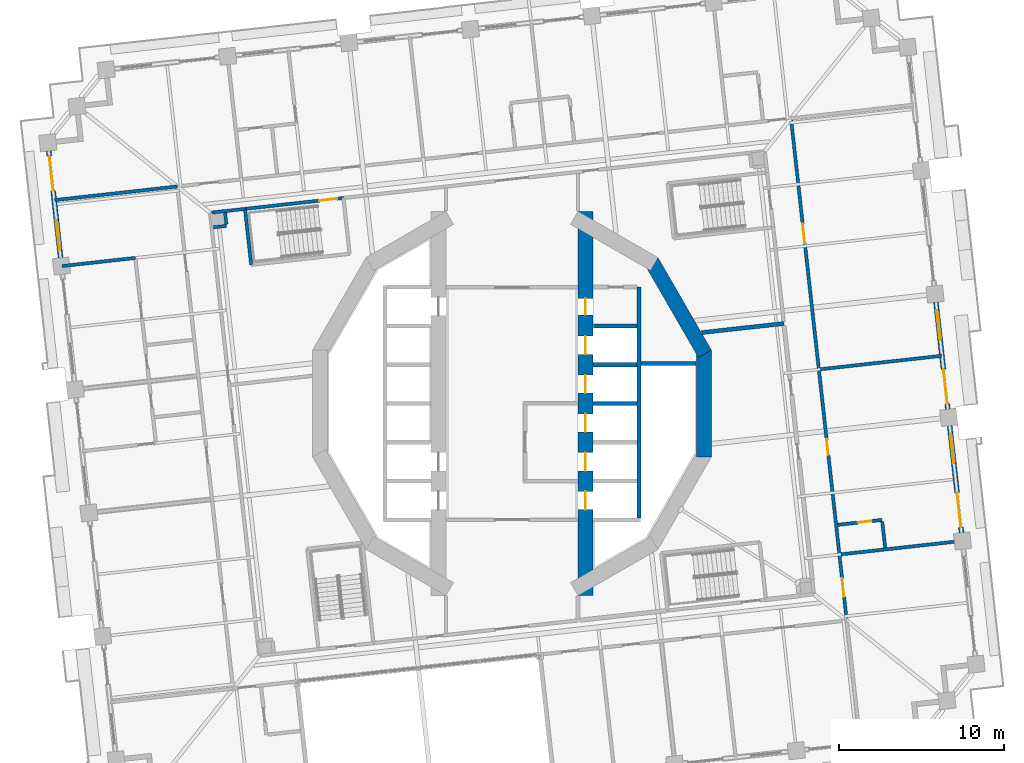
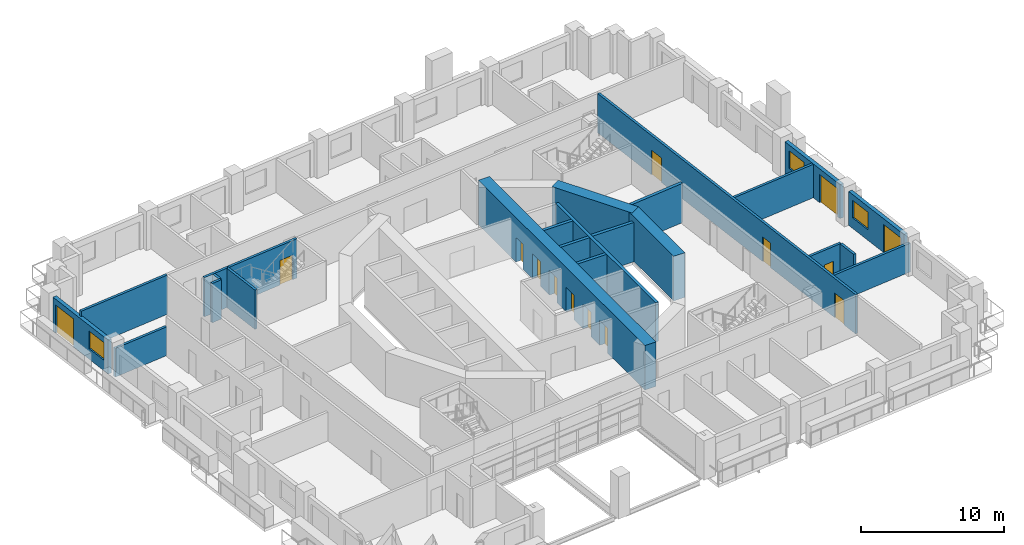
# One storey, part 10 of 21: 24 walls, 14 doors, 3 windows, 17 openings.
"""IFC4 building model written with IfcOpenShell, lengths in metres."""

import ifcopenshell
import ifcopenshell.guid

model = None  # the IFC model being written
_history = None  # IfcOwnerHistory: only IFC2X3 demands one
_inside = {}  # id of a spatial element -> (the spatial element, [elements in it])
_under = {}  # id of a project, library or spatial element -> (it, [spatial elements below it])
_declared = {}  # id of a project -> (the project, [libraries it declares])
_typed = {}  # id of a type object -> (the type object, [elements of that type])
_made_of = {}  # id of a material, layer set ... -> (it, [elements and type objects made of it])


def new_model(schema):
    """Start an empty IFC model of exactly this schema.

    Asked for "IFC4X3", IfcOpenShell would pick the latest addendum, in which some entities
    have other attributes; the version numbers below select the first issue.
    IFC2X3 requires an IfcOwnerHistory on every rooted entity: one is made here for all.
    """
    global model, _history
    if schema == "IFC4X3":
        model = ifcopenshell.file(schema_version=(4, 3, 0, 0))
    else:
        model = ifcopenshell.file(schema=schema)
    _inside.clear()
    _under.clear()
    _declared.clear()
    _typed.clear()
    _made_of.clear()
    _history = None
    if model.schema == "IFC2X3":
        org = make("IfcOrganization", Name="unknown")
        user = make(
            "IfcPersonAndOrganization",
            ThePerson=make("IfcPerson", FamilyName="unknown"),
            TheOrganization=org,
        )
        app = make(
            "IfcApplication",
            ApplicationDeveloper=org,
            Version="unknown",
            ApplicationFullName="unknown",
            ApplicationIdentifier="unknown",
        )
        _history = make(
            "IfcOwnerHistory",
            OwningUser=user,
            OwningApplication=app,
            ChangeAction="ADDED",
            CreationDate=0,
        )
    return model


def make(cls, **values):
    """One entity of the class cls with the attributes given. An attribute that is None is left unset."""
    return model.create_entity(
        cls, **{name: value for name, value in values.items() if value is not None}
    )


def rooted(cls, **values):
    """An entity with a GlobalId (a new one), such as an element, a storey or a relation."""
    return make(cls, GlobalId=ifcopenshell.guid.new(), OwnerHistory=_history, **values)


def si_unit(unit_type, name, prefix=None):
    """IfcSIUnit, for example si_unit("LENGTHUNIT", "METRE", prefix="MILLI")."""
    return make("IfcSIUnit", UnitType=unit_type, Prefix=prefix, Name=name)


def assignment(units):
    """IfcUnitAssignment: the units of a project."""
    return None if units is None else make("IfcUnitAssignment", Units=units)


def point(xyz):
    """IfcCartesianPoint."""
    return None if xyz is None else make("IfcCartesianPoint", Coordinates=xyz)


def direction(xyz):
    """IfcDirection."""
    return None if xyz is None else make("IfcDirection", DirectionRatios=xyz)


def frame(location, z_axis=None, x_axis=None):
    """IfcAxis2Placement3D, a coordinate frame: its origin and axes. An axis left out is left unset."""
    return make(
        "IfcAxis2Placement3D",
        Location=point(location),
        Axis=direction(z_axis),
        RefDirection=direction(x_axis),
    )


def frame_2d(location, x_axis=None):
    """IfcAxis2Placement2D, a coordinate frame in the plane: its origin and x axis."""
    return make(
        "IfcAxis2Placement2D", Location=point(location), RefDirection=direction(x_axis)
    )


def origin():
    """The frame at (0, 0, 0) with its axes left unset."""
    return frame((0.0, 0.0, 0.0))


def place(relative_to, where):
    """IfcLocalPlacement: puts the frame where relative to a parent placement (None: the world)."""
    return make(
        "IfcLocalPlacement", PlacementRelTo=relative_to, RelativePlacement=where
    )


def context(
    kind, dimensions, precision=None, world=None, true_north=None, identifier=None
):
    """IfcGeometricRepresentationContext, for example the 3D "Model" context."""
    return make(
        "IfcGeometricRepresentationContext",
        ContextIdentifier=identifier,
        ContextType=kind,
        CoordinateSpaceDimension=dimensions,
        Precision=precision,
        WorldCoordinateSystem=world,
        TrueNorth=true_north,
    )


def subcontext(parent, identifier, kind, view, scale=None):
    """IfcGeometricRepresentationSubContext, for example "Body" below "Model"."""
    return make(
        "IfcGeometricRepresentationSubContext",
        ContextIdentifier=identifier,
        ContextType=kind,
        ParentContext=parent,
        TargetScale=scale,
        TargetView=view,
    )


def project(units=None, contexts=None):
    """IfcProject with its units and contexts."""
    return rooted(
        "IfcProject",
        Name="project",
        RepresentationContexts=contexts,
        UnitsInContext=assignment(units),
    )


def spatial(cls, under=None, at=None, **own):
    """A site, building, storey or space (cls), placed at a placement, below another one or the project."""
    s = rooted(cls, ObjectPlacement=at, **own)
    if under is not None:
        _under.setdefault(under.id(), (under, []))[1].append(s)
    return s


def profile(cls, at=None, kind="AREA", **sizes):
    """A parametric profile (cls). Its sizes go by their IFC names, for example OverallWidth=200.0."""
    return make(cls, ProfileType=kind, Position=at, **sizes)


def rectangle(**sizes):
    """IfcRectangleProfileDef."""
    return profile("IfcRectangleProfileDef", **sizes)


def extrude(swept, where, along, depth):
    """IfcExtrudedAreaSolid: the profile swept, set in the frame where, extruded along a direction by depth."""
    return make(
        "IfcExtrudedAreaSolid",
        SweptArea=swept,
        Position=where,
        ExtrudedDirection=direction(along),
        Depth=depth,
    )


def shape(context_of_items, identifier, shape_type, items):
    """IfcShapeRepresentation: the items that make up one representation, for example the "Body"."""
    return make(
        "IfcShapeRepresentation",
        ContextOfItems=context_of_items,
        RepresentationIdentifier=identifier,
        RepresentationType=shape_type,
        Items=items,
    )


def material(Name=None, Category=None):
    """IfcMaterial."""
    return make("IfcMaterial", Name=Name, Category=Category)


def layer(
    of_material, thickness, ventilated=None, Name=None, Category=None, Priority=None
):
    """IfcMaterialLayer: one layer of a wall or slab, of a material (None: an air gap)."""
    return make(
        "IfcMaterialLayer",
        Material=of_material,
        LayerThickness=thickness,
        IsVentilated=ventilated,
        Name=Name,
        Category=Category,
        Priority=Priority,
    )


def layer_set(layers, Name=None):
    """IfcMaterialLayerSet."""
    return make("IfcMaterialLayerSet", MaterialLayers=layers, LayerSetName=Name)


def made_of(thing, what):
    """Note that an element or type object is made of a material, layer set ...; save() writes the relation."""
    if what is not None:
        _made_of.setdefault(what.id(), (what, []))[1].append(thing)
    return thing


def type_object(cls, material=None, **own):
    """A type object (cls), such as IfcWallType, which elements share."""
    return made_of(rooted(cls, **own), material)


def element(
    cls,
    number,
    at=None,
    inside=None,
    cuts=None,
    type_object=None,
    material=None,
    context=None,
    identifier="Body",
    shape_type=None,
    held_by="IfcProductDefinitionShape",
    body=None,
    shapes=None,
    **own,
):
    """One element of the class cls, such as IfcWall. Its Tag is "e" and its number.

    at: its placement. inside: the storey or other place that contains it. cuts: it is an
    opening in that element (IfcRelVoidsElement). A single representation is given by context,
    identifier, shape_type and body (its items); several are given by shapes. held_by: the class
    of the entity that holds the representations. save() writes the other relations.
    """
    e = rooted(cls, Tag="e%d" % number, ObjectPlacement=at, **own)
    if body is not None:
        shapes = [shape(context, identifier, shape_type, body)]
    if shapes is not None:
        e.Representation = make(held_by, Representations=shapes)
    if inside is not None:
        _inside.setdefault(inside.id(), (inside, []))[1].append(e)
    if cuts is not None:
        rooted(
            "IfcRelVoidsElement", RelatingBuildingElement=cuts, RelatedOpeningElement=e
        )
    if type_object is not None:
        _typed.setdefault(type_object.id(), (type_object, []))[1].append(e)
    return made_of(e, material)


def fill(opening, filler):
    """IfcRelFillsElement: the door or window that sits in an opening."""
    return rooted(
        "IfcRelFillsElement",
        RelatingOpeningElement=opening,
        RelatedBuildingElement=filler,
    )


def aggregate(whole, parts):
    """IfcRelAggregates: a whole, such as a stair, and the parts it consists of."""
    return rooted("IfcRelAggregates", RelatingObject=whole, RelatedObjects=parts)


def save(model, path):
    """Write the relations noted so far, then the file.

    IfcRelAggregates (storeys below a building ...), IfcRelContainedInSpatialStructure (elements
    in a storey), IfcRelDefinesByType, IfcRelAssociatesMaterial and IfcRelDeclares: one each for
    every whole, place, type object, material and project.
    """
    for whole, parts in _under.values():
        aggregate(whole, parts)
    for where, things in _inside.values():
        rooted(
            "IfcRelContainedInSpatialStructure",
            RelatedElements=things,
            RelatingStructure=where,
        )
    for kind, things in _typed.values():
        rooted("IfcRelDefinesByType", RelatedObjects=things, RelatingType=kind)
    for what, things in _made_of.values():
        rooted("IfcRelAssociatesMaterial", RelatedObjects=things, RelatingMaterial=what)
    for by, libraries in _declared.values():
        rooted("IfcRelDeclares", RelatingContext=by, RelatedDefinitions=libraries)
    model.write(path)


model = new_model("IFC4")

# Units and contexts
model_context = context("Model", 3, precision=1e-05, world=origin(), true_north=direction((0.0, 1.0)))
body_context = subcontext(model_context, "Body", "Model", "MODEL_VIEW")
ifc_project = project(units=[si_unit("LENGTHUNIT", "METRE"), si_unit("AREAUNIT", "SQUARE_METRE"), si_unit("VOLUMEUNIT", "CUBIC_METRE"), si_unit("PLANEANGLEUNIT", "RADIAN"), si_unit("MASSUNIT", "GRAM", prefix="KILO")], contexts=[model_context])

# Site, building, storey
site_placement = place(None, origin())
site = spatial("IfcSite", under=ifc_project, at=site_placement, CompositionType="ELEMENT")
building_placement = place(site_placement, origin())
building = spatial("IfcBuilding", under=site, at=building_placement, Name="Cantera Rosa Tower", CompositionType="ELEMENT")
storey_placement = place(building_placement, frame((0.0, 0.0, 80.5)))
storey = spatial("IfcBuildingStorey", under=building, at=storey_placement, Name="L17", CompositionType="ELEMENT", Elevation=80.5)

# Wall
ifc_material_1 = material(Name="Gypsum board partition")
ifc_layer_1 = layer(ifc_material_1, 0.199951171875)
ifc_layer_set_1 = layer_set([ifc_layer_1], Name="CORRIDOR WALL 200 H3350")
wall_type_1 = type_object("IfcWallType", Name="CORRIDOR WALL 200 H3350", PredefinedType="PARTITIONING", material=ifc_layer_set_1)
wall_1_placement = place(storey_placement, frame((-16.172607421875, 11.787841796875, 0.0), z_axis=(0.0, 0.0, 1.0), x_axis=(-0.993905752705, -0.110233183482, 0.0)))
element("IfcWall", 1, at=wall_1_placement, inside=storey, type_object=wall_type_1, Name="CORRIDOR WALL L17-020", PredefinedType="PARTITIONING", context=body_context, shape_type="SweptSolid", body=[
    extrude(rectangle(XDim=2.026611328125, YDim=0.199951171875, at=frame_2d((1.01318359375, 0.0))), origin(), (0.0, 0.0, 1.0), 3.35009765625),
])

# Wall, openings, doors
wall_2_placement = place(storey_placement, frame((20.2626953125, -13.04443359375, 0.0), z_axis=(0.0, 0.0, 1.0), x_axis=(-0.110312530755, 0.993896949164, 0.0)))
wall_2 = element("IfcWall", 2, at=wall_2_placement, inside=storey, type_object=wall_type_1, Name="CORRIDOR WALL L17-103", PredefinedType="PARTITIONING", context=body_context, shape_type="SweptSolid", body=[
    extrude(rectangle(XDim=30.400146484375, YDim=0.199951171875, at=frame_2d((15.2001953125, 0.0))), origin(), (0.0, 0.0, 1.0), 3.35009765625),
])
opening_1_placement = place(wall_2_placement, frame((22.8701171875, 0.0, 0.0)))
opening_1 = element("IfcOpeningElement", 3, at=opening_1_placement, cuts=wall_2, Name="Opening L17-016", PredefinedType="OPENING", context=body_context, shape_type="SweptSolid", body=[
    extrude(rectangle(XDim=1.199951171875, YDim=2.10009765625, at=frame_2d((0.60009765625, 1.050048828125))), frame((0.0, 0.10986328125, 0.0), z_axis=(0.0, -1.0, 0.0), x_axis=(1.0, 0.0, 0.0)), (0.0, 0.0, 1.0), 0.219970703125),
])
opening_2_placement = place(wall_2_placement, frame((9.985107421875, 0.0, 0.0)))
opening_2 = element("IfcOpeningElement", 4, at=opening_2_placement, cuts=wall_2, Name="Opening L17-017", PredefinedType="OPENING", context=body_context, shape_type="SweptSolid", body=[
    extrude(rectangle(XDim=0.949951171875, YDim=2.10009765625, at=frame_2d((0.47509765625, 1.050048828125))), frame((0.0, 0.10986328125, 0.0), z_axis=(0.0, -1.0, 0.0), x_axis=(1.0, 0.0, 0.0)), (0.0, 0.0, 1.0), 0.219970703125),
])
opening_3_placement = place(wall_2_placement, frame((1.360107421875, 0.0, 0.0)))
opening_3 = element("IfcOpeningElement", 5, at=opening_3_placement, cuts=wall_2, Name="Opening L17-019", PredefinedType="OPENING", context=body_context, shape_type="SweptSolid", body=[
    extrude(rectangle(XDim=1.10009765625, YDim=2.10009765625, at=frame_2d((0.550048828125, 1.050048828125))), frame((0.0, 0.10986328125, 0.0), z_axis=(0.0, -1.0, 0.0), x_axis=(1.0, 0.0, 0.0)), (0.0, 0.0, 1.0), 0.219970703125),
])
ifc_material_2 = material(Name="Timber door leaf", Category="wood")
door_type_1 = type_object("IfcDoorType", Name="ROOM DOOR 1100x2100", OperationType="NOTDEFINED", PredefinedType="DOOR", material=ifc_material_2)
door_1_placement = place(opening_3_placement, origin())
door_1 = element("IfcDoor", 6, at=door_1_placement, inside=storey, type_object=door_type_1, Name="DOOR L17-019", OperationType="NOTDEFINED", OverallHeight=2.10009765625, OverallWidth=1.10009765625, PredefinedType="DOOR", context=body_context, shape_type="SweptSolid", body=[
    extrude(rectangle(XDim=1.10009765625, YDim=2.10009765625, at=frame_2d((0.550048828125, 1.050048828125))), frame((0.0, 0.02490234375, 0.0), z_axis=(0.0, -1.0, 0.0), x_axis=(1.0, 0.0, 0.0)), (0.0, 0.0, 1.0), 0.050048828125),
])
fill(opening_3, door_1)
ifc_material_3 = material(Name="Timber door leaf", Category="wood")
door_type_2 = type_object("IfcDoorType", Name="ROOM DOOR 1200x2100", OperationType="NOTDEFINED", PredefinedType="DOOR", material=ifc_material_3)
door_2_placement = place(opening_1_placement, origin())
door_2 = element("IfcDoor", 7, at=door_2_placement, inside=storey, type_object=door_type_2, Name="DOOR L17-016", OperationType="NOTDEFINED", OverallHeight=2.10009765625, OverallWidth=1.199951171875, PredefinedType="DOOR", context=body_context, shape_type="SweptSolid", body=[
    extrude(rectangle(XDim=1.199951171875, YDim=2.10009765625, at=frame_2d((0.60009765625, 1.050048828125))), frame((0.0, 0.02490234375, 0.0), z_axis=(0.0, -1.0, 0.0), x_axis=(1.0, 0.0, 0.0)), (0.0, 0.0, 1.0), 0.050048828125),
])
fill(opening_1, door_2)
ifc_material_4 = material(Name="Timber door leaf", Category="wood")
door_type_3 = type_object("IfcDoorType", Name="ROOM DOOR 950x2100", OperationType="NOTDEFINED", PredefinedType="DOOR", material=ifc_material_4)
door_3_placement = place(opening_2_placement, origin())
door_3 = element("IfcDoor", 8, at=door_3_placement, inside=storey, type_object=door_type_3, Name="DOOR L17-017", OperationType="NOTDEFINED", OverallHeight=2.10009765625, OverallWidth=0.949951171875, PredefinedType="DOOR", context=body_context, shape_type="SweptSolid", body=[
    extrude(rectangle(XDim=0.949951171875, YDim=2.10009765625, at=frame_2d((0.47509765625, 1.050048828125))), frame((0.0, 0.02490234375, 0.0), z_axis=(0.0, -1.0, 0.0), x_axis=(1.0, 0.0, 0.0)), (0.0, 0.0, 1.0), 0.050048828125),
])
fill(opening_2, door_3)

# Wall, openings, window, door
ifc_material_5 = material(Name="Hollow clay masonry with cantera stone cladding", Category="masonry")
ifc_layer_2 = layer(ifc_material_5, 0.300048828125)
ifc_layer_set_2 = layer_set([ifc_layer_2], Name="EW-LOGGIA 300 H2890")
wall_type_2 = type_object("IfcWallType", Name="EW-LOGGIA 300 H2890", PredefinedType="SOLIDWALL", material=ifc_layer_set_2)
wall_3_placement = place(storey_placement, frame((27.229248046875, -7.823974609375, 0.0), z_axis=(0.0, 0.0, 1.0), x_axis=(-0.110312341265, 0.993896970196, 0.0)))
wall_3 = element("IfcWall", 9, at=wall_3_placement, inside=storey, type_object=wall_type_2, Name="EN-L17-W02", PredefinedType="SOLIDWALL", context=body_context, shape_type="SweptSolid", body=[
    extrude(rectangle(XDim=6.52001953125, YDim=0.300048828125, at=frame_2d((3.260009765625, 0.0))), origin(), (0.0, 0.0, 1.0), 2.889892578125),
])
opening_4_placement = place(wall_3_placement, frame((0.330078125, 0.0, 0.0)))
opening_4 = element("IfcOpeningElement", 10, at=opening_4_placement, cuts=wall_3, Name="Opening L17-TD03", PredefinedType="OPENING", context=body_context, shape_type="SweptSolid", body=[
    extrude(rectangle(XDim=2.10009765625, YDim=2.39990234375, at=frame_2d((1.050048828125, 1.199951171875))), frame((0.0, 0.159912109375, 0.0), z_axis=(0.0, -1.0, 0.0), x_axis=(1.0, 0.0, 0.0)), (0.0, 0.0, 1.0), 0.320068359375),
])
opening_5_placement = place(wall_3_placement, frame((4.239990234375, 0.0, 0.89990234375)))
opening_5 = element("IfcOpeningElement", 11, at=opening_5_placement, cuts=wall_3, Name="Opening L17-W04", PredefinedType="OPENING", context=body_context, shape_type="SweptSolid", body=[
    extrude(rectangle(XDim=1.800048828125, YDim=1.5, at=frame_2d((0.89990234375, 0.75))), frame((0.0, 0.159912109375, 0.0), z_axis=(0.0, -1.0, 0.0), x_axis=(1.0, 0.0, 0.0)), (0.0, 0.0, 1.0), 0.320068359375),
])
ifc_material_6 = material(Name="Aluminium frame with clear glass", Category="aluminium")
window_type = type_object("IfcWindowType", Name="Hotel room window 1800x1500", PartitioningType="DOUBLE_PANEL_VERTICAL", PredefinedType="WINDOW", material=ifc_material_6)
window_1_placement = place(opening_5_placement, origin())
window_1 = element("IfcWindow", 12, at=window_1_placement, inside=storey, type_object=window_type, Name="WINDOW L17-W04", OverallHeight=1.5, OverallWidth=1.800048828125, PartitioningType="SINGLE_PANEL", PredefinedType="WINDOW", context=body_context, shape_type="SweptSolid", body=[
    extrude(rectangle(XDim=1.800048828125, YDim=1.5, at=frame_2d((0.89990234375, 0.75))), frame((0.0, 0.030029296875, 0.0), z_axis=(0.0, -1.0, 0.0), x_axis=(1.0, 0.0, 0.0)), (0.0, 0.0, 1.0), 0.06005859375),
])
fill(opening_5, window_1)
ifc_material_7 = material(Name="Aluminium frame with clear glass", Category="aluminium")
door_type_4 = type_object("IfcDoorType", Name="TD-H 2100x2400", OperationType="NOTDEFINED", PredefinedType="DOOR", material=ifc_material_7)
door_4_placement = place(opening_4_placement, origin())
door_4 = element("IfcDoor", 13, at=door_4_placement, inside=storey, type_object=door_type_4, Name="LOGGIA DOOR L17-TD03", OperationType="SLIDING_TO_LEFT", OverallHeight=2.39990234375, OverallWidth=2.10009765625, PredefinedType="DOOR", context=body_context, shape_type="SweptSolid", body=[
    extrude(rectangle(XDim=2.10009765625, YDim=2.39990234375, at=frame_2d((1.050048828125, 1.199951171875))), frame((0.0, 0.02490234375, 0.0), z_axis=(0.0, -1.0, 0.0), x_axis=(1.0, 0.0, 0.0)), (0.0, 0.0, 1.0), 0.050048828125),
])
fill(opening_4, door_4)

wall_4_placement = place(storey_placement, frame((26.399658203125, -0.349853515625, 0.0), z_axis=(0.0, 0.0, 1.0), x_axis=(-0.110312341265, 0.993896970196, 0.0)))
wall_4 = element("IfcWall", 14, at=wall_4_placement, inside=storey, type_object=wall_type_2, Name="EN-L17-W03", PredefinedType="SOLIDWALL", context=body_context, shape_type="SweptSolid", body=[
    extrude(rectangle(XDim=6.52001953125, YDim=0.300048828125, at=frame_2d((3.260009765625, 0.0))), origin(), (0.0, 0.0, 1.0), 2.889892578125),
])
opening_6_placement = place(wall_4_placement, frame((0.330078125, 0.0, 0.0)))
opening_6 = element("IfcOpeningElement", 15, at=opening_6_placement, cuts=wall_4, Name="Opening L17-TD05", PredefinedType="OPENING", context=body_context, shape_type="SweptSolid", body=[
    extrude(rectangle(XDim=2.10009765625, YDim=2.39990234375, at=frame_2d((1.050048828125, 1.199951171875))), frame((0.0, 0.159912109375, 0.0), z_axis=(0.0, -1.0, 0.0), x_axis=(1.0, 0.0, 0.0)), (0.0, 0.0, 1.0), 0.320068359375),
])
opening_7_placement = place(wall_4_placement, frame((4.239990234375, 0.0, 0.89990234375)))
opening_7 = element("IfcOpeningElement", 16, at=opening_7_placement, cuts=wall_4, Name="Opening L17-W06", PredefinedType="OPENING", context=body_context, shape_type="SweptSolid", body=[
    extrude(rectangle(XDim=1.800048828125, YDim=1.5, at=frame_2d((0.89990234375, 0.75))), frame((0.0, 0.159912109375, 0.0), z_axis=(0.0, -1.0, 0.0), x_axis=(1.0, 0.0, 0.0)), (0.0, 0.0, 1.0), 0.320068359375),
])
window_2_placement = place(opening_7_placement, origin())
window_2 = element("IfcWindow", 17, at=window_2_placement, inside=storey, type_object=window_type, Name="WINDOW L17-W06", OverallHeight=1.5, OverallWidth=1.800048828125, PartitioningType="SINGLE_PANEL", PredefinedType="WINDOW", context=body_context, shape_type="SweptSolid", body=[
    extrude(rectangle(XDim=1.800048828125, YDim=1.5, at=frame_2d((0.89990234375, 0.75))), frame((0.0, 0.030029296875, 0.0), z_axis=(0.0, -1.0, 0.0), x_axis=(1.0, 0.0, 0.0)), (0.0, 0.0, 1.0), 0.06005859375),
])
fill(opening_7, window_2)
door_5_placement = place(opening_6_placement, origin())
door_5 = element("IfcDoor", 18, at=door_5_placement, inside=storey, type_object=door_type_4, Name="LOGGIA DOOR L17-TD05", OperationType="SLIDING_TO_LEFT", OverallHeight=2.39990234375, OverallWidth=2.10009765625, PredefinedType="DOOR", context=body_context, shape_type="SweptSolid", body=[
    extrude(rectangle(XDim=2.10009765625, YDim=2.39990234375, at=frame_2d((1.050048828125, 1.199951171875))), frame((0.0, 0.02490234375, 0.0), z_axis=(0.0, -1.0, 0.0), x_axis=(1.0, 0.0, 0.0)), (0.0, 0.0, 1.0), 0.050048828125),
])
fill(opening_6, door_5)

wall_5_placement = place(storey_placement, frame((-28.058837890625, 15.298095703125, 0.0), z_axis=(0.0, 0.0, 1.0), x_axis=(0.110312341265, -0.993896970196, 0.0)))
wall_5 = element("IfcWall", 19, at=wall_5_placement, inside=storey, type_object=wall_type_2, Name="EN-L17-W16", PredefinedType="SOLIDWALL", context=body_context, shape_type="SweptSolid", body=[
    extrude(rectangle(XDim=6.52001953125, YDim=0.300048828125, at=frame_2d((3.260009765625, 0.0))), origin(), (0.0, 0.0, 1.0), 2.889892578125),
])
opening_8_placement = place(wall_5_placement, frame((0.330078125, 0.0, 0.0)))
opening_8 = element("IfcOpeningElement", 20, at=opening_8_placement, cuts=wall_5, Name="Opening L17-TD23", PredefinedType="OPENING", context=body_context, shape_type="SweptSolid", body=[
    extrude(rectangle(XDim=2.10009765625, YDim=2.39990234375, at=frame_2d((1.050048828125, 1.199951171875))), frame((0.0, 0.159912109375, 0.0), z_axis=(0.0, -1.0, 0.0), x_axis=(1.0, 0.0, 0.0)), (0.0, 0.0, 1.0), 0.320068359375),
])
opening_9_placement = place(wall_5_placement, frame((4.239990234375, 0.0, 0.89990234375)))
opening_9 = element("IfcOpeningElement", 21, at=opening_9_placement, cuts=wall_5, Name="Opening L17-W24", PredefinedType="OPENING", context=body_context, shape_type="SweptSolid", body=[
    extrude(rectangle(XDim=1.800048828125, YDim=1.5, at=frame_2d((0.89990234375, 0.75))), frame((0.0, 0.159912109375, 0.0), z_axis=(0.0, -1.0, 0.0), x_axis=(1.0, 0.0, 0.0)), (0.0, 0.0, 1.0), 0.320068359375),
])
window_3_placement = place(opening_9_placement, origin())
window_3 = element("IfcWindow", 22, at=window_3_placement, inside=storey, type_object=window_type, Name="WINDOW L17-W24", OverallHeight=1.5, OverallWidth=1.800048828125, PartitioningType="SINGLE_PANEL", PredefinedType="WINDOW", context=body_context, shape_type="SweptSolid", body=[
    extrude(rectangle(XDim=1.800048828125, YDim=1.5, at=frame_2d((0.89990234375, 0.75))), frame((0.0, 0.030029296875, 0.0), z_axis=(0.0, -1.0, 0.0), x_axis=(1.0, 0.0, 0.0)), (0.0, 0.0, 1.0), 0.06005859375),
])
fill(opening_9, window_3)
door_6_placement = place(opening_8_placement, origin())
door_6 = element("IfcDoor", 23, at=door_6_placement, inside=storey, type_object=door_type_4, Name="LOGGIA DOOR L17-TD23", OperationType="SLIDING_TO_LEFT", OverallHeight=2.39990234375, OverallWidth=2.10009765625, PredefinedType="DOOR", context=body_context, shape_type="SweptSolid", body=[
    extrude(rectangle(XDim=2.10009765625, YDim=2.39990234375, at=frame_2d((1.050048828125, 1.199951171875))), frame((0.0, 0.02490234375, 0.0), z_axis=(0.0, -1.0, 0.0), x_axis=(1.0, 0.0, 0.0)), (0.0, 0.0, 1.0), 0.050048828125),
])
fill(opening_8, door_6)

# Walls
ifc_material_8 = material(Name="Gypsum board partition")
ifc_layer_3 = layer(ifc_material_8, 0.199951171875)
ifc_layer_set_3 = layer_set([ifc_layer_3], Name="PARTITION 200 H2450")
wall_type_3 = type_object("IfcWallType", Name="PARTITION 200 H2450", PredefinedType="PARTITIONING", material=ifc_layer_set_3)
wall_6_placement = place(storey_placement, frame((-27.254638671875, 8.32421875, 0.0), z_axis=(0.0, 0.0, 1.0), x_axis=(0.993895052822, 0.11032961514, 0.0)))
element("IfcWall", 24, at=wall_6_placement, inside=storey, type_object=wall_type_3, Name="PARTITION L17-001", PredefinedType="PARTITIONING", context=body_context, shape_type="SweptSolid", body=[
    extrude(rectangle(XDim=4.469970703125, YDim=0.199951171875, at=frame_2d((2.23486328125, 0.0))), origin(), (0.0, 0.0, 1.0), 2.449951171875),
])
ifc_material_9 = material(Name="Gypsum board partition")
ifc_layer_4 = layer(ifc_material_9, 0.199951171875)
ifc_layer_set_4 = layer_set([ifc_layer_4], Name="PARTITION 200 H3350")
wall_type_4 = type_object("IfcWallType", Name="PARTITION 200 H3350", PredefinedType="PARTITIONING", material=ifc_layer_set_4)
wall_7_placement = place(storey_placement, frame((-18.08740234375, 10.669921875, 0.0), z_axis=(0.0, 0.0, 1.0), x_axis=(0.993913470482, 0.110163574714, 0.0)))
element("IfcWall", 25, at=wall_7_placement, inside=storey, type_object=wall_type_4, Name="PARTITION L17-011", PredefinedType="PARTITIONING", context=body_context, shape_type="SweptSolid", body=[
    extrude(rectangle(XDim=0.800048828125, YDim=0.199951171875, at=frame_2d((0.39990234375, 0.0))), origin(), (0.0, 0.0, 1.0), 3.35009765625),
])
wall_8_placement = place(storey_placement, frame((-17.30322265625, 10.857421875, 0.0), z_axis=(0.0, 0.0, 1.0), x_axis=(-0.110546349969, 0.993870969748, 0.0)))
element("IfcWall", 26, at=wall_8_placement, inside=storey, type_object=wall_type_4, Name="PARTITION L17-013", PredefinedType="PARTITIONING", context=body_context, shape_type="SweptSolid", body=[
    extrude(rectangle(XDim=0.7001953125, YDim=0.199951171875, at=frame_2d((0.35009765625, 0.0))), origin(), (0.0, 0.0, 1.0), 3.35009765625),
])

# Wall, opening, door
wall_9_placement = place(storey_placement, frame((19.73095703125, -7.348388671875, 0.0), z_axis=(0.0, 0.0, 1.0), x_axis=(0.993887042245, 0.110401753874, 0.0)))
wall_9 = element("IfcWall", 27, at=wall_9_placement, inside=storey, type_object=wall_type_4, Name="PARTITION L17-102", PredefinedType="PARTITIONING", context=body_context, shape_type="SweptSolid", body=[
    extrude(rectangle(XDim=2.7001953125, YDim=0.199951171875, at=frame_2d((1.35009765625, 0.0))), origin(), (0.0, 0.0, 1.0), 3.35009765625),
])
opening_10_placement = place(wall_9_placement, frame((1.236083984375, 0.0, 0.0)))
opening_10 = element("IfcOpeningElement", 28, at=opening_10_placement, cuts=wall_9, Name="Opening L17-018", PredefinedType="OPENING", context=body_context, shape_type="SweptSolid", body=[
    extrude(rectangle(XDim=0.800048828125, YDim=2.10009765625, at=frame_2d((0.39990234375, 1.050048828125))), frame((0.0, 0.10986328125, 0.0), z_axis=(0.0, -1.0, 0.0), x_axis=(1.0, 0.0, 0.0)), (0.0, 0.0, 1.0), 0.219970703125),
])
ifc_material_10 = material(Name="Timber door leaf", Category="wood")
door_type_5 = type_object("IfcDoorType", Name="BATHROOM DOOR 800x2100", OperationType="NOTDEFINED", PredefinedType="DOOR", material=ifc_material_10)
door_7_placement = place(opening_10_placement, origin())
door_7 = element("IfcDoor", 29, at=door_7_placement, inside=storey, type_object=door_type_5, Name="DOOR L17-018", OperationType="NOTDEFINED", OverallHeight=2.10009765625, OverallWidth=0.800048828125, PredefinedType="DOOR", context=body_context, shape_type="SweptSolid", body=[
    extrude(rectangle(XDim=0.800048828125, YDim=2.10009765625, at=frame_2d((0.39990234375, 1.050048828125))), frame((0.0, 0.02490234375, 0.0), z_axis=(0.0, -1.0, 0.0), x_axis=(1.0, 0.0, 0.0)), (0.0, 0.0, 1.0), 0.050048828125),
])
fill(opening_10, door_7)

# Walls
wall_10_placement = place(storey_placement, frame((22.425537109375, -7.14990234375, 0.0), z_axis=(0.0, 0.0, 1.0), x_axis=(0.110331031706, -0.993894895571, 0.0)))
element("IfcWall", 30, at=wall_10_placement, inside=storey, type_object=wall_type_4, Name="PARTITION L17-105", PredefinedType="PARTITIONING", context=body_context, shape_type="SweptSolid", body=[
    extrude(rectangle(XDim=1.599853515625, YDim=0.199951171875, at=frame_2d((0.7998046875, 0.0))), origin(), (0.0, 0.0, 1.0), 3.35009765625),
])
ifc_material_11 = material(Name="Gypsum board partition")
ifc_layer_5 = layer(ifc_material_11, 0.199951171875)
ifc_layer_set_5 = layer_set([ifc_layer_5], Name="PARTY WALL 200 H2450")
wall_type_5 = type_object("IfcWallType", Name="PARTY WALL 200 H2450", PredefinedType="PARTITIONING", material=ifc_layer_set_5)
wall_11_placement = place(storey_placement, frame((27.254638671875, -8.32421875, 0.0), z_axis=(0.0, 0.0, 1.0), x_axis=(-0.993897058864, -0.11031154238, 0.0)))
element("IfcWall", 31, at=wall_11_placement, inside=storey, type_object=wall_type_5, Name="PARTY WALL L17-106", PredefinedType="PARTITIONING", context=body_context, shape_type="SweptSolid", body=[
    extrude(rectangle(XDim=7.369873046875, YDim=0.199951171875, at=frame_2d((3.68505859375, 0.0))), origin(), (0.0, 0.0, 1.0), 2.449951171875),
])
ifc_material_12 = material(Name="Gypsum board partition")
ifc_layer_6 = layer(ifc_material_12, 0.199951171875)
ifc_layer_set_6 = layer_set([ifc_layer_6], Name="PARTY WALL 200 H2850")
wall_type_6 = type_object("IfcWallType", Name="PARTY WALL 200 H2850", PredefinedType="PARTITIONING", material=ifc_layer_set_6)
wall_12_placement = place(storey_placement, frame((18.685302734375, 2.073974609375, 0.0), z_axis=(0.0, 0.0, 1.0), x_axis=(0.993897058864, 0.11031154238, 0.0)))
element("IfcWall", 32, at=wall_12_placement, inside=storey, type_object=wall_type_6, Name="PARTY WALL L17-101", PredefinedType="PARTITIONING", context=body_context, shape_type="SweptSolid", body=[
    extrude(rectangle(XDim=7.369873046875, YDim=0.199951171875, at=frame_2d((3.68505859375, 0.0))), origin(), (0.0, 0.0, 1.0), 2.85009765625),
])
ifc_material_13 = material(Name="Gypsum board partition")
ifc_layer_7 = layer(ifc_material_13, 0.199951171875)
ifc_layer_set_7 = layer_set([ifc_layer_7], Name="PARTY WALL 200 H3350")
wall_type_7 = type_object("IfcWallType", Name="PARTY WALL 200 H3350", PredefinedType="PARTITIONING", material=ifc_layer_set_7)
wall_13_placement = place(storey_placement, frame((-20.273681640625, 13.143798828125, 0.0), z_axis=(0.0, 0.0, 1.0), x_axis=(-0.993894093242, -0.110338259085, 0.0)))
element("IfcWall", 33, at=wall_13_placement, inside=storey, type_object=wall_type_7, Name="PARTY WALL L17-006", PredefinedType="PARTITIONING", context=body_context, shape_type="SweptSolid", body=[
    extrude(rectangle(XDim=7.469970703125, YDim=0.199951171875, at=frame_2d((3.73486328125, 0.0))), origin(), (0.0, 0.0, 1.0), 3.35009765625),
])
ifc_material_14 = material(Name="Concrete C70/85", Category="concrete")
ifc_layer_8 = layer(ifc_material_14, 0.89990234375)
ifc_layer_set_8 = layer_set([ifc_layer_8], Name="RC CORE WALL 900 C70/85")
wall_type_8 = type_object("IfcWallType", Name="RC CORE WALL 900 C70/85", PredefinedType="SHEAR", material=ifc_layer_set_8)
wall_14_placement = place(storey_placement, frame((8.44921875, 8.61376953125, 0.0), z_axis=(0.0, 0.0, 1.0), x_axis=(0.499990282633, -0.866031014036, 0.0)))
element("IfcWall", 34, at=wall_14_placement, inside=storey, type_object=wall_type_8, Name="CW-E2 L17", PredefinedType="SHEAR", context=body_context, shape_type="SweptSolid", body=[
    extrude(rectangle(XDim=6.470458984375, YDim=0.89990234375, at=frame_2d((3.2353515625, 0.0))), origin(), (0.0, 0.0, 1.0), 3.800048828125),
])
wall_15_placement = place(storey_placement, frame((11.6240234375, 3.2353515625, 0.0), z_axis=(0.0, 0.0, 1.0), x_axis=(0.0, -1.0, 0.0)))
element("IfcWall", 35, at=wall_15_placement, inside=storey, type_object=wall_type_8, Name="CW-E3 L17", PredefinedType="SHEAR", context=body_context, shape_type="SweptSolid", body=[
    extrude(rectangle(XDim=6.470703125, YDim=0.89990234375, at=frame_2d((3.2353515625, 0.0))), origin(), (0.0, 0.0, 1.0), 3.800048828125),
])

# Wall, openings, doors
wall_16_placement = place(storey_placement, frame((4.449951171875, -11.632568359375, 0.0), z_axis=(0.0, 0.0, 1.0), x_axis=(0.0, 1.0, 0.0)))
wall_16 = element("IfcWall", 36, at=wall_16_placement, inside=storey, type_object=wall_type_8, Name="CW-E6 L17", PredefinedType="SHEAR", context=body_context, shape_type="SweptSolid", body=[
    extrude(rectangle(XDim=23.26513671875, YDim=0.89990234375, at=frame_2d((11.632568359375, 0.0))), origin(), (0.0, 0.0, 1.0), 3.800048828125),
])
opening_11_placement = place(wall_16_placement, frame((7.5576171875, 0.0, 0.0)))
opening_11 = element("IfcOpeningElement", 37, at=opening_11_placement, cuts=wall_16, Name="Opening LD-FF1-L17", PredefinedType="OPENING", context=body_context, shape_type="SweptSolid", body=[
    extrude(rectangle(XDim=1.10009765625, YDim=2.10009765625, at=frame_2d((0.550048828125, 1.050048828125))), frame((0.0, 0.4599609375, 0.0), z_axis=(0.0, -1.0, 0.0), x_axis=(1.0, 0.0, 0.0)), (0.0, 0.0, 1.0), 0.919921875),
])
opening_12_placement = place(wall_16_placement, frame((9.907470703125, 0.0, 0.0)))
opening_12 = element("IfcOpeningElement", 38, at=opening_12_placement, cuts=wall_16, Name="Opening LD-FF2-L17", PredefinedType="OPENING", context=body_context, shape_type="SweptSolid", body=[
    extrude(rectangle(XDim=1.10009765625, YDim=2.10009765625, at=frame_2d((0.550048828125, 1.050048828125))), frame((0.0, 0.4599609375, 0.0), z_axis=(0.0, -1.0, 0.0), x_axis=(1.0, 0.0, 0.0)), (0.0, 0.0, 1.0), 0.919921875),
])
opening_13_placement = place(wall_16_placement, frame((12.257568359375, 0.0, 0.0)))
opening_13 = element("IfcOpeningElement", 39, at=opening_13_placement, cuts=wall_16, Name="Opening LD-P1-L17", PredefinedType="OPENING", context=body_context, shape_type="SweptSolid", body=[
    extrude(rectangle(XDim=1.10009765625, YDim=2.10009765625, at=frame_2d((0.550048828125, 1.050048828125))), frame((0.0, 0.4599609375, 0.0), z_axis=(0.0, -1.0, 0.0), x_axis=(1.0, 0.0, 0.0)), (0.0, 0.0, 1.0), 0.919921875),
])
opening_14_placement = place(wall_16_placement, frame((14.607421875, 0.0, 0.0)))
opening_14 = element("IfcOpeningElement", 40, at=opening_14_placement, cuts=wall_16, Name="Opening LD-P2-L17", PredefinedType="OPENING", context=body_context, shape_type="SweptSolid", body=[
    extrude(rectangle(XDim=1.10009765625, YDim=2.10009765625, at=frame_2d((0.550048828125, 1.050048828125))), frame((0.0, 0.4599609375, 0.0), z_axis=(0.0, -1.0, 0.0), x_axis=(1.0, 0.0, 0.0)), (0.0, 0.0, 1.0), 0.919921875),
])
opening_15_placement = place(wall_16_placement, frame((5.20751953125, 0.0, 0.0)))
opening_15 = element("IfcOpeningElement", 41, at=opening_15_placement, cuts=wall_16, Name="Opening LD-P6-L17", PredefinedType="OPENING", context=body_context, shape_type="SweptSolid", body=[
    extrude(rectangle(XDim=1.10009765625, YDim=2.10009765625, at=frame_2d((0.550048828125, 1.050048828125))), frame((0.0, 0.4599609375, 0.0), z_axis=(0.0, -1.0, 0.0), x_axis=(1.0, 0.0, 0.0)), (0.0, 0.0, 1.0), 0.919921875),
])
opening_16_placement = place(wall_16_placement, frame((17.007568359375, 0.0, 0.0)))
opening_16 = element("IfcOpeningElement", 42, at=opening_16_placement, cuts=wall_16, Name="Opening SD-L17-15", PredefinedType="OPENING", context=body_context, shape_type="SweptSolid", body=[
    extrude(rectangle(XDim=1.0, YDim=2.10009765625, at=frame_2d((0.5, 1.050048828125))), frame((0.0, 0.4599609375, 0.0), z_axis=(0.0, -1.0, 0.0), x_axis=(1.0, 0.0, 0.0)), (0.0, 0.0, 1.0), 0.919921875),
])
ifc_material_15 = material(Name="Steel S355J2 (EN 10025-2)", Category="steel")
door_type_6 = type_object("IfcDoorType", Name="LANDING DOOR 1100x2100", OperationType="NOTDEFINED", PredefinedType="DOOR", material=ifc_material_15)
door_8_placement = place(opening_11_placement, origin())
door_8 = element("IfcDoor", 43, at=door_8_placement, inside=storey, type_object=door_type_6, Name="LANDING DOOR FF1 L17", OperationType="SLIDING_TO_LEFT", OverallHeight=2.10009765625, OverallWidth=1.10009765625, PredefinedType="DOOR", context=body_context, shape_type="SweptSolid", body=[
    extrude(rectangle(XDim=1.10009765625, YDim=2.10009765625, at=frame_2d((0.550048828125, 1.050048828125))), frame((0.0, 0.02490234375, 0.0), z_axis=(0.0, -1.0, 0.0), x_axis=(1.0, 0.0, 0.0)), (0.0, 0.0, 1.0), 0.050048828125),
])
fill(opening_11, door_8)
door_9_placement = place(opening_12_placement, origin())
door_9 = element("IfcDoor", 44, at=door_9_placement, inside=storey, type_object=door_type_6, Name="LANDING DOOR FF2 L17", OperationType="SLIDING_TO_LEFT", OverallHeight=2.10009765625, OverallWidth=1.10009765625, PredefinedType="DOOR", context=body_context, shape_type="SweptSolid", body=[
    extrude(rectangle(XDim=1.10009765625, YDim=2.10009765625, at=frame_2d((0.550048828125, 1.050048828125))), frame((0.0, 0.02490234375, 0.0), z_axis=(0.0, -1.0, 0.0), x_axis=(1.0, 0.0, 0.0)), (0.0, 0.0, 1.0), 0.050048828125),
])
fill(opening_12, door_9)
door_10_placement = place(opening_13_placement, origin())
door_10 = element("IfcDoor", 45, at=door_10_placement, inside=storey, type_object=door_type_6, Name="LANDING DOOR P1 L17", OperationType="SLIDING_TO_LEFT", OverallHeight=2.10009765625, OverallWidth=1.10009765625, PredefinedType="DOOR", context=body_context, shape_type="SweptSolid", body=[
    extrude(rectangle(XDim=1.10009765625, YDim=2.10009765625, at=frame_2d((0.550048828125, 1.050048828125))), frame((0.0, 0.02490234375, 0.0), z_axis=(0.0, -1.0, 0.0), x_axis=(1.0, 0.0, 0.0)), (0.0, 0.0, 1.0), 0.050048828125),
])
fill(opening_13, door_10)
door_11_placement = place(opening_14_placement, origin())
door_11 = element("IfcDoor", 46, at=door_11_placement, inside=storey, type_object=door_type_6, Name="LANDING DOOR P2 L17", OperationType="SLIDING_TO_LEFT", OverallHeight=2.10009765625, OverallWidth=1.10009765625, PredefinedType="DOOR", context=body_context, shape_type="SweptSolid", body=[
    extrude(rectangle(XDim=1.10009765625, YDim=2.10009765625, at=frame_2d((0.550048828125, 1.050048828125))), frame((0.0, 0.02490234375, 0.0), z_axis=(0.0, -1.0, 0.0), x_axis=(1.0, 0.0, 0.0)), (0.0, 0.0, 1.0), 0.050048828125),
])
fill(opening_14, door_11)
door_12_placement = place(opening_15_placement, origin())
door_12 = element("IfcDoor", 47, at=door_12_placement, inside=storey, type_object=door_type_6, Name="LANDING DOOR P6 L17", OperationType="SLIDING_TO_LEFT", OverallHeight=2.10009765625, OverallWidth=1.10009765625, PredefinedType="DOOR", context=body_context, shape_type="SweptSolid", body=[
    extrude(rectangle(XDim=1.10009765625, YDim=2.10009765625, at=frame_2d((0.550048828125, 1.050048828125))), frame((0.0, 0.02490234375, 0.0), z_axis=(0.0, -1.0, 0.0), x_axis=(1.0, 0.0, 0.0)), (0.0, 0.0, 1.0), 0.050048828125),
])
fill(opening_15, door_12)
ifc_material_16 = material(Name="Timber door leaf", Category="wood")
door_type_7 = type_object("IfcDoorType", Name="SERVICE DOOR 1000x2100", OperationType="NOTDEFINED", PredefinedType="DOOR", material=ifc_material_16)
door_13_placement = place(opening_16_placement, origin())
door_13 = element("IfcDoor", 48, at=door_13_placement, inside=storey, type_object=door_type_7, Name="DOOR L17-SD15", OperationType="NOTDEFINED", OverallHeight=2.10009765625, OverallWidth=1.0, PredefinedType="DOOR", context=body_context, shape_type="SweptSolid", body=[
    extrude(rectangle(XDim=1.0, YDim=2.10009765625, at=frame_2d((0.5, 1.050048828125))), frame((0.0, 0.02490234375, 0.0), z_axis=(0.0, -1.0, 0.0), x_axis=(1.0, 0.0, 0.0)), (0.0, 0.0, 1.0), 0.050048828125),
])
fill(opening_16, door_13)

# Walls
ifc_material_17 = material(Name="Masonry blockwork", Category="masonry")
ifc_layer_9 = layer(ifc_material_17, 0.25)
ifc_layer_set_9 = layer_set([ifc_layer_9], Name="SHAFT WALL 250 H3350")
wall_type_9 = type_object("IfcWallType", Name="SHAFT WALL 250 H3350", PredefinedType="SOLIDWALL", material=ifc_layer_set_9)
wall_17_placement = place(storey_placement, frame((4.89990234375, 0.0, 0.0), z_axis=(0.0, 0.0, 1.0), x_axis=(1.0, 0.0, 0.0)))
element("IfcWall", 49, at=wall_17_placement, inside=storey, type_object=wall_type_9, Name="SHAFT WALL L17-065", PredefinedType="SOLIDWALL", context=body_context, shape_type="SweptSolid", body=[
    extrude(rectangle(XDim=2.675048828125, YDim=0.25, at=frame_2d((1.33740234375, 0.0))), origin(), (0.0, 0.0, 1.0), 3.35009765625),
])
wall_18_placement = place(storey_placement, frame((7.699951171875, -6.929931640625, 0.0), z_axis=(0.0, 0.0, 1.0), x_axis=(0.0, 1.0, 0.0)))
element("IfcWall", 50, at=wall_18_placement, inside=storey, type_object=wall_type_9, Name="SHAFT WALL L17-068", PredefinedType="SOLIDWALL", context=body_context, shape_type="SweptSolid", body=[
    extrude(rectangle(XDim=13.97998046875, YDim=0.25, at=frame_2d((6.989990234375, 0.0))), origin(), (0.0, 0.0, 1.0), 3.35009765625),
])
wall_19_placement = place(storey_placement, frame((7.574951171875, 2.35009765625, 0.0), z_axis=(0.0, 0.0, 1.0), x_axis=(-1.0, 0.0, 0.0)))
element("IfcWall", 51, at=wall_19_placement, inside=storey, type_object=wall_type_9, Name="SHAFT WALL L17-070", PredefinedType="SOLIDWALL", context=body_context, shape_type="SweptSolid", body=[
    extrude(rectangle(XDim=2.675048828125, YDim=0.25, at=frame_2d((1.33740234375, 0.0))), origin(), (0.0, 0.0, 1.0), 3.35009765625),
])
wall_20_placement = place(storey_placement, frame((7.824951171875, 2.417724609375, 0.0), z_axis=(0.0, 0.0, 1.0), x_axis=(1.0, 0.0, 0.0)))
element("IfcWall", 52, at=wall_20_placement, inside=storey, type_object=wall_type_9, Name="SHAFT WALL L17-071", PredefinedType="SOLIDWALL", context=body_context, shape_type="SweptSolid", body=[
    extrude(rectangle(XDim=3.319091796875, YDim=0.25, at=frame_2d((1.65966796875, 0.0))), origin(), (0.0, 0.0, 1.0), 3.35009765625),
])
wall_21_placement = place(storey_placement, frame((7.574951171875, 4.699951171875, 0.0), z_axis=(0.0, 0.0, 1.0), x_axis=(-1.0, 0.0, 0.0)))
element("IfcWall", 53, at=wall_21_placement, inside=storey, type_object=wall_type_9, Name="SHAFT WALL L17-072", PredefinedType="SOLIDWALL", context=body_context, shape_type="SweptSolid", body=[
    extrude(rectangle(XDim=2.64501953125, YDim=0.25, at=frame_2d((1.322509765625, 0.0))), origin(), (0.0, 0.0, 1.0), 3.35009765625),
])
wall_22_placement = place(storey_placement, frame((16.4658203125, 4.845947265625, 0.0), z_axis=(0.0, 0.0, 1.0), x_axis=(-0.993895640521, -0.110324320767, 0.0)))
element("IfcWall", 54, at=wall_22_placement, inside=storey, type_object=wall_type_9, Name="SHAFT WALL L17-092", PredefinedType="SOLIDWALL", context=body_context, shape_type="SweptSolid", body=[
    extrude(rectangle(XDim=4.9990234375, YDim=0.25, at=frame_2d((2.49951171875, 0.0))), origin(), (0.0, 0.0, 1.0), 3.35009765625),
])
ifc_material_18 = material(Name="Concrete C50/60", Category="concrete")
ifc_layer_10 = layer(ifc_material_18, 0.199951171875)
ifc_layer_set_10 = layer_set([ifc_layer_10], Name="STAIR WALL 200 H3350")
wall_type_10 = type_object("IfcWallType", Name="STAIR WALL 200 H3350", PredefinedType="SOLIDWALL", material=ifc_layer_set_10)
wall_23_placement = place(storey_placement, frame((-16.172607421875, 11.787841796875, 0.0), z_axis=(0.0, 0.0, 1.0), x_axis=(0.110368557057, -0.993890729212, 0.0)))
element("IfcWall", 55, at=wall_23_placement, inside=storey, type_object=wall_type_10, Name="STAIR WALL L17-021", PredefinedType="SOLIDWALL", context=body_context, shape_type="SweptSolid", body=[
    extrude(rectangle(XDim=3.404296875, YDim=0.199951171875, at=frame_2d((1.7021484375, 0.0))), origin(), (0.0, 0.0, 1.0), 3.35009765625),
])

# Wall, opening, door
wall_24_placement = place(storey_placement, frame((-10.208984375, 12.44970703125, 0.0), z_axis=(0.0, 0.0, 1.0), x_axis=(-0.993897620437, -0.11030648254, 0.0)))
wall_24 = element("IfcWall", 56, at=wall_24_placement, inside=storey, type_object=wall_type_10, Name="STAIR WALL L17-035", PredefinedType="SOLIDWALL", context=body_context, shape_type="SweptSolid", body=[
    extrude(rectangle(XDim=6.000244140625, YDim=0.199951171875, at=frame_2d((3.0, 0.0))), origin(), (0.0, 0.0, 1.0), 3.35009765625),
])
opening_17_placement = place(wall_24_placement, frame((0.375, 0.0, 0.0)))
opening_17 = element("IfcOpeningElement", 57, at=opening_17_placement, cuts=wall_24, Name="Opening L17-002", PredefinedType="OPENING", context=body_context, shape_type="SweptSolid", body=[
    extrude(rectangle(XDim=1.10009765625, YDim=2.10009765625, at=frame_2d((0.550048828125, 1.050048828125))), frame((0.0, 0.10986328125, 0.0), z_axis=(0.0, -1.0, 0.0), x_axis=(1.0, 0.0, 0.0)), (0.0, 0.0, 1.0), 0.219970703125),
])
ifc_material_19 = material(Name="Steel S355J2 (EN 10025-2)", Category="steel")
door_type_8 = type_object("IfcDoorType", Name="STAIR DOOR 1100x2100", OperationType="NOTDEFINED", PredefinedType="DOOR", material=ifc_material_19)
door_14_placement = place(opening_17_placement, origin())
door_14 = element("IfcDoor", 58, at=door_14_placement, inside=storey, type_object=door_type_8, Name="DOOR L17-002", OperationType="NOTDEFINED", OverallHeight=2.10009765625, OverallWidth=1.10009765625, PredefinedType="DOOR", context=body_context, shape_type="SweptSolid", body=[
    extrude(rectangle(XDim=1.10009765625, YDim=2.10009765625, at=frame_2d((0.550048828125, 1.050048828125))), frame((0.0, 0.02490234375, 0.0), z_axis=(0.0, -1.0, 0.0), x_axis=(1.0, 0.0, 0.0)), (0.0, 0.0, 1.0), 0.050048828125),
])
fill(opening_17, door_14)

save(model, "model.ifc")
